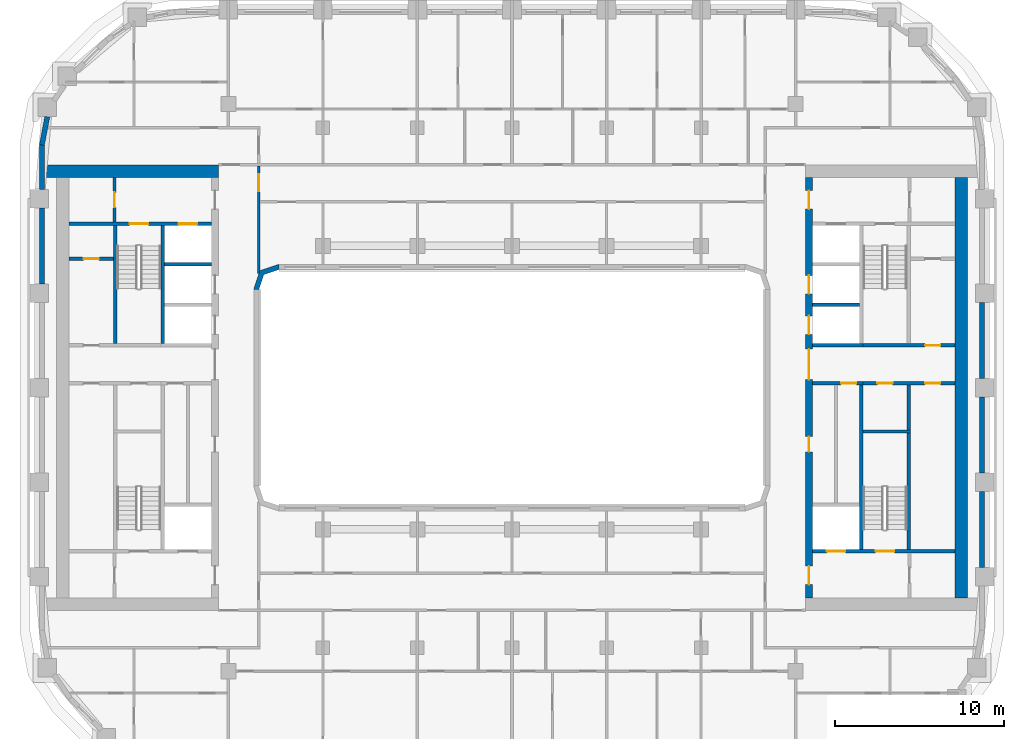
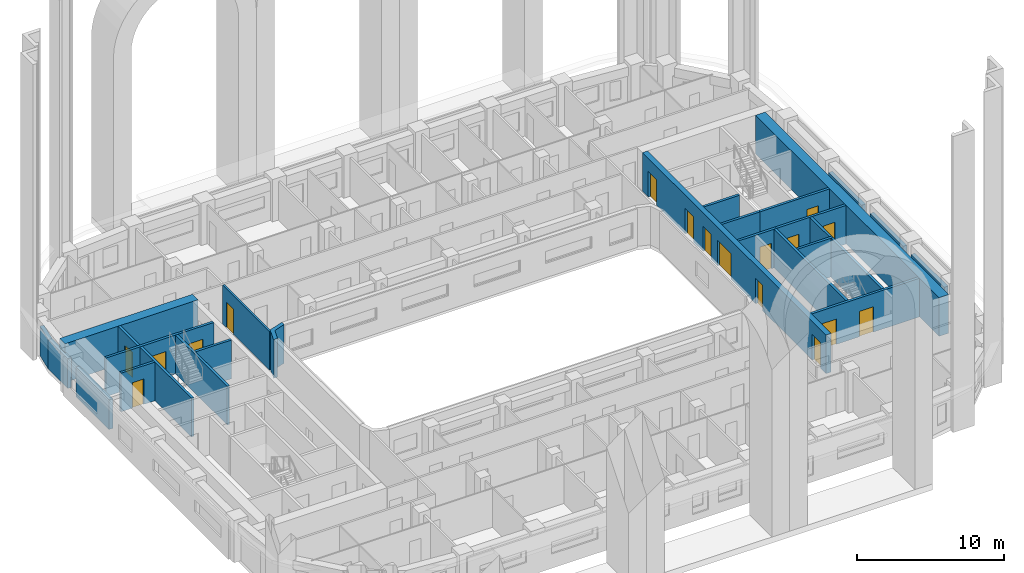
# One storey, part 6 of 18: 27 walls, 17 doors, 17 openings.
"""IFC4 building model written with IfcOpenShell, lengths in metres."""

import ifcopenshell
import ifcopenshell.guid

model = None  # the IFC model being written
_history = None  # IfcOwnerHistory: only IFC2X3 demands one
_inside = {}  # id of a spatial element -> (the spatial element, [elements in it])
_under = {}  # id of a project, library or spatial element -> (it, [spatial elements below it])
_declared = {}  # id of a project -> (the project, [libraries it declares])
_typed = {}  # id of a type object -> (the type object, [elements of that type])
_made_of = {}  # id of a material, layer set ... -> (it, [elements and type objects made of it])


def new_model(schema):
    """Start an empty IFC model of exactly this schema.

    Asked for "IFC4X3", IfcOpenShell would pick the latest addendum, in which some entities
    have other attributes; the version numbers below select the first issue.
    IFC2X3 requires an IfcOwnerHistory on every rooted entity: one is made here for all.
    """
    global model, _history
    if schema == "IFC4X3":
        model = ifcopenshell.file(schema_version=(4, 3, 0, 0))
    else:
        model = ifcopenshell.file(schema=schema)
    _inside.clear()
    _under.clear()
    _declared.clear()
    _typed.clear()
    _made_of.clear()
    _history = None
    if model.schema == "IFC2X3":
        org = make("IfcOrganization", Name="unknown")
        user = make(
            "IfcPersonAndOrganization",
            ThePerson=make("IfcPerson", FamilyName="unknown"),
            TheOrganization=org,
        )
        app = make(
            "IfcApplication",
            ApplicationDeveloper=org,
            Version="unknown",
            ApplicationFullName="unknown",
            ApplicationIdentifier="unknown",
        )
        _history = make(
            "IfcOwnerHistory",
            OwningUser=user,
            OwningApplication=app,
            ChangeAction="ADDED",
            CreationDate=0,
        )
    return model


def make(cls, **values):
    """One entity of the class cls with the attributes given. An attribute that is None is left unset."""
    return model.create_entity(
        cls, **{name: value for name, value in values.items() if value is not None}
    )


def rooted(cls, **values):
    """An entity with a GlobalId (a new one), such as an element, a storey or a relation."""
    return make(cls, GlobalId=ifcopenshell.guid.new(), OwnerHistory=_history, **values)


def si_unit(unit_type, name, prefix=None):
    """IfcSIUnit, for example si_unit("LENGTHUNIT", "METRE", prefix="MILLI")."""
    return make("IfcSIUnit", UnitType=unit_type, Prefix=prefix, Name=name)


def assignment(units):
    """IfcUnitAssignment: the units of a project."""
    return None if units is None else make("IfcUnitAssignment", Units=units)


def point(xyz):
    """IfcCartesianPoint."""
    return None if xyz is None else make("IfcCartesianPoint", Coordinates=xyz)


def direction(xyz):
    """IfcDirection."""
    return None if xyz is None else make("IfcDirection", DirectionRatios=xyz)


def frame(location, z_axis=None, x_axis=None):
    """IfcAxis2Placement3D, a coordinate frame: its origin and axes. An axis left out is left unset."""
    return make(
        "IfcAxis2Placement3D",
        Location=point(location),
        Axis=direction(z_axis),
        RefDirection=direction(x_axis),
    )


def frame_2d(location, x_axis=None):
    """IfcAxis2Placement2D, a coordinate frame in the plane: its origin and x axis."""
    return make(
        "IfcAxis2Placement2D", Location=point(location), RefDirection=direction(x_axis)
    )


def origin():
    """The frame at (0, 0, 0) with its axes left unset."""
    return frame((0.0, 0.0, 0.0))


def place(relative_to, where):
    """IfcLocalPlacement: puts the frame where relative to a parent placement (None: the world)."""
    return make(
        "IfcLocalPlacement", PlacementRelTo=relative_to, RelativePlacement=where
    )


def context(
    kind, dimensions, precision=None, world=None, true_north=None, identifier=None
):
    """IfcGeometricRepresentationContext, for example the 3D "Model" context."""
    return make(
        "IfcGeometricRepresentationContext",
        ContextIdentifier=identifier,
        ContextType=kind,
        CoordinateSpaceDimension=dimensions,
        Precision=precision,
        WorldCoordinateSystem=world,
        TrueNorth=true_north,
    )


def subcontext(parent, identifier, kind, view, scale=None):
    """IfcGeometricRepresentationSubContext, for example "Body" below "Model"."""
    return make(
        "IfcGeometricRepresentationSubContext",
        ContextIdentifier=identifier,
        ContextType=kind,
        ParentContext=parent,
        TargetScale=scale,
        TargetView=view,
    )


def project(units=None, contexts=None):
    """IfcProject with its units and contexts."""
    return rooted(
        "IfcProject",
        Name="project",
        RepresentationContexts=contexts,
        UnitsInContext=assignment(units),
    )


def spatial(cls, under=None, at=None, **own):
    """A site, building, storey or space (cls), placed at a placement, below another one or the project."""
    s = rooted(cls, ObjectPlacement=at, **own)
    if under is not None:
        _under.setdefault(under.id(), (under, []))[1].append(s)
    return s


def polyline(points):
    """IfcPolyline through the points."""
    return make("IfcPolyline", Points=[point(p) for p in points])


def profile(cls, at=None, kind="AREA", **sizes):
    """A parametric profile (cls). Its sizes go by their IFC names, for example OverallWidth=200.0."""
    return make(cls, ProfileType=kind, Position=at, **sizes)


def rectangle(**sizes):
    """IfcRectangleProfileDef."""
    return profile("IfcRectangleProfileDef", **sizes)


def outline(outer, holes=None, kind="AREA"):
    """IfcArbitraryClosedProfileDef: a profile drawn as a closed curve; with holes, ...WithVoids."""
    if holes is None:
        return make("IfcArbitraryClosedProfileDef", ProfileType=kind, OuterCurve=outer)
    return make(
        "IfcArbitraryProfileDefWithVoids",
        ProfileType=kind,
        OuterCurve=outer,
        InnerCurves=holes,
    )


def extrude(swept, where, along, depth):
    """IfcExtrudedAreaSolid: the profile swept, set in the frame where, extruded along a direction by depth."""
    return make(
        "IfcExtrudedAreaSolid",
        SweptArea=swept,
        Position=where,
        ExtrudedDirection=direction(along),
        Depth=depth,
    )


def shape(context_of_items, identifier, shape_type, items):
    """IfcShapeRepresentation: the items that make up one representation, for example the "Body"."""
    return make(
        "IfcShapeRepresentation",
        ContextOfItems=context_of_items,
        RepresentationIdentifier=identifier,
        RepresentationType=shape_type,
        Items=items,
    )


def material(Name=None, Category=None):
    """IfcMaterial."""
    return make("IfcMaterial", Name=Name, Category=Category)


def layer(
    of_material, thickness, ventilated=None, Name=None, Category=None, Priority=None
):
    """IfcMaterialLayer: one layer of a wall or slab, of a material (None: an air gap)."""
    return make(
        "IfcMaterialLayer",
        Material=of_material,
        LayerThickness=thickness,
        IsVentilated=ventilated,
        Name=Name,
        Category=Category,
        Priority=Priority,
    )


def layer_set(layers, Name=None):
    """IfcMaterialLayerSet."""
    return make("IfcMaterialLayerSet", MaterialLayers=layers, LayerSetName=Name)


def made_of(thing, what):
    """Note that an element or type object is made of a material, layer set ...; save() writes the relation."""
    if what is not None:
        _made_of.setdefault(what.id(), (what, []))[1].append(thing)
    return thing


def type_object(cls, material=None, **own):
    """A type object (cls), such as IfcWallType, which elements share."""
    return made_of(rooted(cls, **own), material)


def element(
    cls,
    number,
    at=None,
    inside=None,
    cuts=None,
    type_object=None,
    material=None,
    context=None,
    identifier="Body",
    shape_type=None,
    held_by="IfcProductDefinitionShape",
    body=None,
    shapes=None,
    **own,
):
    """One element of the class cls, such as IfcWall. Its Tag is "e" and its number.

    at: its placement. inside: the storey or other place that contains it. cuts: it is an
    opening in that element (IfcRelVoidsElement). A single representation is given by context,
    identifier, shape_type and body (its items); several are given by shapes. held_by: the class
    of the entity that holds the representations. save() writes the other relations.
    """
    e = rooted(cls, Tag="e%d" % number, ObjectPlacement=at, **own)
    if body is not None:
        shapes = [shape(context, identifier, shape_type, body)]
    if shapes is not None:
        e.Representation = make(held_by, Representations=shapes)
    if inside is not None:
        _inside.setdefault(inside.id(), (inside, []))[1].append(e)
    if cuts is not None:
        rooted(
            "IfcRelVoidsElement", RelatingBuildingElement=cuts, RelatedOpeningElement=e
        )
    if type_object is not None:
        _typed.setdefault(type_object.id(), (type_object, []))[1].append(e)
    return made_of(e, material)


def fill(opening, filler):
    """IfcRelFillsElement: the door or window that sits in an opening."""
    return rooted(
        "IfcRelFillsElement",
        RelatingOpeningElement=opening,
        RelatedBuildingElement=filler,
    )


def aggregate(whole, parts):
    """IfcRelAggregates: a whole, such as a stair, and the parts it consists of."""
    return rooted("IfcRelAggregates", RelatingObject=whole, RelatedObjects=parts)


def save(model, path):
    """Write the relations noted so far, then the file.

    IfcRelAggregates (storeys below a building ...), IfcRelContainedInSpatialStructure (elements
    in a storey), IfcRelDefinesByType, IfcRelAssociatesMaterial and IfcRelDeclares: one each for
    every whole, place, type object, material and project.
    """
    for whole, parts in _under.values():
        aggregate(whole, parts)
    for where, things in _inside.values():
        rooted(
            "IfcRelContainedInSpatialStructure",
            RelatedElements=things,
            RelatingStructure=where,
        )
    for kind, things in _typed.values():
        rooted("IfcRelDefinesByType", RelatedObjects=things, RelatingType=kind)
    for what, things in _made_of.values():
        rooted("IfcRelAssociatesMaterial", RelatedObjects=things, RelatingMaterial=what)
    for by, libraries in _declared.values():
        rooted("IfcRelDeclares", RelatingContext=by, RelatedDefinitions=libraries)
    model.write(path)


model = new_model("IFC4")

# Units and contexts
model_context = context("Model", 3, precision=1e-05, world=origin(), true_north=direction((0.0, 1.0)))
body_context = subcontext(model_context, "Body", "Model", "MODEL_VIEW")
ifc_project = project(units=[si_unit("LENGTHUNIT", "METRE"), si_unit("AREAUNIT", "SQUARE_METRE"), si_unit("VOLUMEUNIT", "CUBIC_METRE"), si_unit("PLANEANGLEUNIT", "RADIAN"), si_unit("MASSUNIT", "GRAM", prefix="KILO")], contexts=[model_context])

# Site, building, storey
site_placement = place(None, origin())
site = spatial("IfcSite", under=ifc_project, at=site_placement, CompositionType="ELEMENT")
building_placement = place(site_placement, origin())
building = spatial("IfcBuilding", under=site, at=building_placement, Name="Kiln Ring Residences", CompositionType="ELEMENT")
storey_placement = place(building_placement, frame((0.0, 0.0, 136.10009765625)))
storey = spatial("IfcBuildingStorey", under=building, at=storey_placement, Name="L34", CompositionType="ELEMENT", Elevation=136.10009765625)

# Wall, opening, door
ifc_material_1 = material(Name="Gypsum board on steel studs", Category="steel")
ifc_layer_1 = layer(ifc_material_1, 0.199951171875)
ifc_layer_set_1 = layer_set([ifc_layer_1], Name="CORE-PARTITION-200")
wall_type_1 = type_object("IfcWallType", Name="CORE-PARTITION-200", PredefinedType="PARTITIONING", material=ifc_layer_set_1)
wall_1_placement = place(storey_placement, frame((-23.550048828125, 9.800048828125, 0.0), z_axis=(0.0, 0.0, 1.0), x_axis=(0.0, 1.0, 0.0)))
wall_1 = element("IfcWall", 1, at=wall_1_placement, inside=storey, type_object=wall_type_1, Name="Core partition west L34 4", PredefinedType="PARTITIONING", context=body_context, shape_type="SweptSolid", body=[
    extrude(rectangle(XDim=2.64990234375, YDim=0.199951171875, at=frame_2d((1.324951171875, 0.0))), origin(), (0.0, 0.0, 1.0), 3.199951171875),
])
opening_1_placement = place(wall_1_placement, frame((0.875, 0.0, 0.0)))
opening_1 = element("IfcOpeningElement", 2, at=opening_1_placement, cuts=wall_1, Name="Opening L34-CW09", PredefinedType="OPENING", context=body_context, shape_type="SweptSolid", body=[
    extrude(rectangle(XDim=0.89990234375, YDim=2.10009765625, at=frame_2d((0.449951171875, 1.050048828125))), frame((0.0, 0.10986328125, 0.0), z_axis=(0.0, -1.0, 0.0), x_axis=(1.0, 0.0, 0.0)), (0.0, 0.0, 1.0), 0.219970703125),
])
ifc_material_2 = material(Name="Steel door leaf", Category="steel")
door_type_1 = type_object("IfcDoorType", Name="CORE-DOOR-ROOM", OperationType="SINGLE_SWING_LEFT", PredefinedType="DOOR", material=ifc_material_2)
door_1_placement = place(opening_1_placement, origin())
door_1 = element("IfcDoor", 3, at=door_1_placement, inside=storey, type_object=door_type_1, Name="Fire riser room L34-CW09", OperationType="SINGLE_SWING_LEFT", OverallHeight=2.10009765625, OverallWidth=0.89990234375, PredefinedType="DOOR", context=body_context, shape_type="SweptSolid", body=[
    extrude(rectangle(XDim=0.89990234375, YDim=2.10009765625, at=frame_2d((0.449951171875, 1.050048828125))), frame((0.0, 0.02490234375, 0.0), z_axis=(0.0, -1.0, 0.0), x_axis=(1.0, 0.0, 0.0)), (0.0, 0.0, 1.0), 0.050048828125),
])
fill(opening_1, door_1)

wall_2_placement = place(storey_placement, frame((-23.60009765625, 7.639892578125, 0.0), z_axis=(0.0, 0.0, 1.0), x_axis=(-1.0, 0.0, 0.0)))
wall_2 = element("IfcWall", 4, at=wall_2_placement, inside=storey, type_object=wall_type_1, Name="Core partition west L34 6", PredefinedType="PARTITIONING", context=body_context, shape_type="SweptSolid", body=[
    extrude(rectangle(XDim=2.64990234375, YDim=0.199951171875, at=frame_2d((1.324951171875, 0.0))), origin(), (0.0, 0.0, 1.0), 3.199951171875),
])
opening_2_placement = place(wall_2_placement, frame((0.875, 0.0, 0.0)))
opening_2 = element("IfcOpeningElement", 5, at=opening_2_placement, cuts=wall_2, Name="Opening L34-CW16", PredefinedType="OPENING", context=body_context, shape_type="SweptSolid", body=[
    extrude(rectangle(XDim=0.89990234375, YDim=2.10009765625, at=frame_2d((0.449951171875, 1.050048828125))), frame((0.0, 0.10986328125, 0.0), z_axis=(0.0, -1.0, 0.0), x_axis=(1.0, 0.0, 0.0)), (0.0, 0.0, 1.0), 0.219970703125),
])
door_2_placement = place(opening_2_placement, origin())
door_2 = element("IfcDoor", 6, at=door_2_placement, inside=storey, type_object=door_type_1, Name="UPS room L34-CW16", OperationType="SINGLE_SWING_LEFT", OverallHeight=2.10009765625, OverallWidth=0.89990234375, PredefinedType="DOOR", context=body_context, shape_type="SweptSolid", body=[
    extrude(rectangle(XDim=0.89990234375, YDim=2.10009765625, at=frame_2d((0.449951171875, 1.050048828125))), frame((0.0, 0.02490234375, 0.0), z_axis=(0.0, -1.0, 0.0), x_axis=(1.0, 0.0, 0.0)), (0.0, 0.0, 1.0), 0.050048828125),
])
fill(opening_2, door_2)

# Wall
wall_3_placement = place(storey_placement, frame((23.5, -2.5, 0.0), z_axis=(0.0, 0.0, 1.0), x_axis=(0.0, 1.0, 0.0)))
element("IfcWall", 7, at=wall_3_placement, inside=storey, type_object=wall_type_1, Name="Core partition east L34 1", PredefinedType="PARTITIONING", context=body_context, shape_type="SweptSolid", body=[
    extrude(rectangle(XDim=2.64990234375, YDim=0.199951171875, at=frame_2d((1.324951171875, 0.0))), origin(), (0.0, 0.0, 1.0), 3.199951171875),
])

# Wall, openings, doors
wall_4_placement = place(storey_placement, frame((20.800048828125, 0.25, 0.0), z_axis=(0.0, 0.0, 1.0), x_axis=(1.0, 0.0, 0.0)))
wall_4 = element("IfcWall", 8, at=wall_4_placement, inside=storey, type_object=wall_type_1, Name="Core partition east L34 2", PredefinedType="PARTITIONING", context=body_context, shape_type="SweptSolid", body=[
    extrude(rectangle(XDim=5.449951171875, YDim=0.199951171875, at=frame_2d((2.72509765625, 0.0))), origin(), (0.0, 0.0, 1.0), 3.199951171875),
])
opening_3_placement = place(wall_4_placement, frame((0.85009765625, 0.0, 0.0)))
opening_3 = element("IfcOpeningElement", 9, at=opening_3_placement, cuts=wall_4, Name="Opening L34-CE14", PredefinedType="OPENING", context=body_context, shape_type="SweptSolid", body=[
    extrude(rectangle(XDim=0.89990234375, YDim=2.10009765625, at=frame_2d((0.449951171875, 1.050048828125))), frame((0.0, 0.10986328125, 0.0), z_axis=(0.0, -1.0, 0.0), x_axis=(1.0, 0.0, 0.0)), (0.0, 0.0, 1.0), 0.219970703125),
])
opening_4_placement = place(wall_4_placement, frame((3.675048828125, 0.0, 0.0)))
opening_4 = element("IfcOpeningElement", 10, at=opening_4_placement, cuts=wall_4, Name="Opening L34-CE15", PredefinedType="OPENING", context=body_context, shape_type="SweptSolid", body=[
    extrude(rectangle(XDim=0.89990234375, YDim=2.10009765625, at=frame_2d((0.449951171875, 1.050048828125))), frame((0.0, 0.10986328125, 0.0), z_axis=(0.0, -1.0, 0.0), x_axis=(1.0, 0.0, 0.0)), (0.0, 0.0, 1.0), 0.219970703125),
])
door_3_placement = place(opening_3_placement, origin())
door_3 = element("IfcDoor", 11, at=door_3_placement, inside=storey, type_object=door_type_1, Name="Refuse and recycling room L34-CE14", OperationType="SINGLE_SWING_LEFT", OverallHeight=2.10009765625, OverallWidth=0.89990234375, PredefinedType="DOOR", context=body_context, shape_type="SweptSolid", body=[
    extrude(rectangle(XDim=0.89990234375, YDim=2.10009765625, at=frame_2d((0.449951171875, 1.050048828125))), frame((0.0, 0.02490234375, 0.0), z_axis=(0.0, -1.0, 0.0), x_axis=(1.0, 0.0, 0.0)), (0.0, 0.0, 1.0), 0.050048828125),
])
fill(opening_3, door_3)
door_4_placement = place(opening_4_placement, origin())
door_4 = element("IfcDoor", 12, at=door_4_placement, inside=storey, type_object=door_type_1, Name="Water tank room L34-CE15", OperationType="SINGLE_SWING_RIGHT", OverallHeight=2.10009765625, OverallWidth=0.89990234375, PredefinedType="DOOR", context=body_context, shape_type="SweptSolid", body=[
    extrude(rectangle(XDim=0.89990234375, YDim=2.10009765625, at=frame_2d((0.449951171875, 1.050048828125))), frame((0.0, 0.02490234375, 0.0), z_axis=(0.0, -1.0, 0.0), x_axis=(1.0, 0.0, 0.0)), (0.0, 0.0, 1.0), 0.050048828125),
])
fill(opening_4, door_4)

# Wall
ifc_material_3 = material(Name="Gypsum shaft wall system")
ifc_layer_2 = layer(ifc_material_3, 0.199951171875)
ifc_layer_set_2 = layer_set([ifc_layer_2], Name="CORE-SHAFT-WALL-200")
wall_type_2 = type_object("IfcWallType", Name="CORE-SHAFT-WALL-200", PredefinedType="PARTITIONING", material=ifc_layer_set_2)
wall_5_placement = place(storey_placement, frame((-17.800048828125, 7.300048828125, 0.0), z_axis=(0.0, 0.0, 1.0), x_axis=(-1.0, 0.0, 0.0)))
element("IfcWall", 13, at=wall_5_placement, inside=storey, type_object=wall_type_2, Name="Core partition west L34 11", PredefinedType="PARTITIONING", context=body_context, shape_type="SweptSolid", body=[
    extrude(rectangle(XDim=2.800048828125, YDim=0.199951171875, at=frame_2d((1.39990234375, 0.0))), origin(), (0.0, 0.0, 1.0), 3.199951171875),
])

# Wall, opening, door
wall_6_placement = place(storey_placement, frame((17.800048828125, 0.25, 0.0), z_axis=(0.0, 0.0, 1.0), x_axis=(1.0, 0.0, 0.0)))
wall_6 = element("IfcWall", 14, at=wall_6_placement, inside=storey, type_object=wall_type_2, Name="Core partition east L34 8", PredefinedType="PARTITIONING", context=body_context, shape_type="SweptSolid", body=[
    extrude(rectangle(XDim=3.0, YDim=0.199951171875, at=frame_2d((1.5, 0.0))), origin(), (0.0, 0.0, 1.0), 3.199951171875),
])
opening_5_placement = place(wall_6_placement, frame((1.699951171875, 0.0, 0.0)))
opening_5 = element("IfcOpeningElement", 15, at=opening_5_placement, cuts=wall_6, Name="Opening L34-CE03", PredefinedType="OPENING", context=body_context, shape_type="SweptSolid", body=[
    extrude(rectangle(XDim=0.89990234375, YDim=2.10009765625, at=frame_2d((0.449951171875, 1.050048828125))), frame((0.0, 0.10986328125, 0.0), z_axis=(0.0, -1.0, 0.0), x_axis=(1.0, 0.0, 0.0)), (0.0, 0.0, 1.0), 0.219970703125),
])
door_5_placement = place(opening_5_placement, origin())
door_5 = element("IfcDoor", 16, at=door_5_placement, inside=storey, type_object=door_type_1, Name="Locker store L34-CE03", OperationType="SINGLE_SWING_RIGHT", OverallHeight=2.10009765625, OverallWidth=0.89990234375, PredefinedType="DOOR", context=body_context, shape_type="SweptSolid", body=[
    extrude(rectangle(XDim=0.89990234375, YDim=2.10009765625, at=frame_2d((0.449951171875, 1.050048828125))), frame((0.0, 0.02490234375, 0.0), z_axis=(0.0, -1.0, 0.0), x_axis=(1.0, 0.0, 0.0)), (0.0, 0.0, 1.0), 0.050048828125),
])
fill(opening_5, door_5)

# Walls
wall_7_placement = place(storey_placement, frame((17.800048828125, 2.5, 0.0), z_axis=(0.0, 0.0, 1.0), x_axis=(1.0, 0.0, 0.0)))
element("IfcWall", 17, at=wall_7_placement, inside=storey, type_object=wall_type_2, Name="Core partition east L34 9", PredefinedType="PARTITIONING", context=body_context, shape_type="SweptSolid", body=[
    extrude(rectangle(XDim=3.0, YDim=0.199951171875, at=frame_2d((1.5, 0.0))), origin(), (0.0, 0.0, 1.0), 3.199951171875),
])
wall_8_placement = place(storey_placement, frame((17.800048828125, 4.89990234375, 0.0), z_axis=(0.0, 0.0, 1.0), x_axis=(1.0, 0.0, 0.0)))
element("IfcWall", 18, at=wall_8_placement, inside=storey, type_object=wall_type_2, Name="Core partition east L34 10", PredefinedType="PARTITIONING", context=body_context, shape_type="SweptSolid", body=[
    extrude(rectangle(XDim=2.800048828125, YDim=0.199951171875, at=frame_2d((1.39990234375, 0.0))), origin(), (0.0, 0.0, 1.0), 3.199951171875),
])
ifc_material_4 = material(Name="Concrete C40/50", Category="concrete")
ifc_layer_3 = layer(ifc_material_4, 0.199951171875)
ifc_layer_set_3 = layer_set([ifc_layer_3], Name="CORE-WALL-RC200")
wall_type_3 = type_object("IfcWallType", Name="CORE-WALL-RC200", PredefinedType="SHEAR", material=ifc_layer_set_3)
wall_9_placement = place(storey_placement, frame((-20.699951171875, 2.60009765625, 0.0), z_axis=(0.0, 0.0, 1.0), x_axis=(0.0, 1.0, 0.0)))
element("IfcWall", 19, at=wall_9_placement, inside=storey, type_object=wall_type_3, Name="Core wall west L34 1", PredefinedType="SHEAR", context=body_context, shape_type="SweptSolid", body=[
    extrude(rectangle(XDim=7.0, YDim=0.199951171875, at=frame_2d((3.5, 0.0))), origin(), (0.0, 0.0, 1.0), 3.199951171875),
])

# Wall, openings, doors
wall_10_placement = place(storey_placement, frame((-17.800048828125, 9.699951171875, 0.0), z_axis=(0.0, 0.0, 1.0), x_axis=(-1.0, 0.0, 0.0)))
wall_10 = element("IfcWall", 20, at=wall_10_placement, inside=storey, type_object=wall_type_3, Name="Core wall west L34 9", PredefinedType="SHEAR", context=body_context, shape_type="SweptSolid", body=[
    extrude(rectangle(XDim=8.449951171875, YDim=0.199951171875, at=frame_2d((4.22509765625, 0.0))), origin(), (0.0, 0.0, 1.0), 3.199951171875),
])
opening_6_placement = place(wall_10_placement, frame((0.85009765625, 0.0, 0.0)))
opening_6 = element("IfcOpeningElement", 21, at=opening_6_placement, cuts=wall_10, Name="Opening L34-CW06", PredefinedType="OPENING", context=body_context, shape_type="SweptSolid", body=[
    extrude(rectangle(XDim=1.10009765625, YDim=2.10009765625, at=frame_2d((0.550048828125, 1.050048828125))), frame((0.0, 0.10986328125, 0.0), z_axis=(0.0, -1.0, 0.0), x_axis=(1.0, 0.0, 0.0)), (0.0, 0.0, 1.0), 0.219970703125),
])
opening_7_placement = place(wall_10_placement, frame((3.75, 0.0, 0.0)))
opening_7 = element("IfcOpeningElement", 22, at=opening_7_placement, cuts=wall_10, Name="Opening L34-CW11", PredefinedType="OPENING", context=body_context, shape_type="SweptSolid", body=[
    extrude(rectangle(XDim=1.10009765625, YDim=2.10009765625, at=frame_2d((0.550048828125, 1.050048828125))), frame((0.0, 0.10986328125, 0.0), z_axis=(0.0, -1.0, 0.0), x_axis=(1.0, 0.0, 0.0)), (0.0, 0.0, 1.0), 0.219970703125),
])
ifc_material_5 = material(Name="Steel door leaf", Category="steel")
door_type_2 = type_object("IfcDoorType", Name="CORE-DOOR-LD", OperationType="DOUBLE_DOOR_SLIDING", PredefinedType="DOOR", material=ifc_material_5)
door_6_placement = place(opening_6_placement, origin())
door_6 = element("IfcDoor", 23, at=door_6_placement, inside=storey, type_object=door_type_2, Name="LD W-FF L34-CW06", OperationType="DOUBLE_DOOR_SLIDING", OverallHeight=2.10009765625, OverallWidth=1.10009765625, PredefinedType="DOOR", context=body_context, shape_type="SweptSolid", body=[
    extrude(rectangle(XDim=1.10009765625, YDim=2.10009765625, at=frame_2d((0.550048828125, 1.050048828125))), frame((0.0, 0.02490234375, 0.0), z_axis=(0.0, -1.0, 0.0), x_axis=(1.0, 0.0, 0.0)), (0.0, 0.0, 1.0), 0.050048828125),
])
fill(opening_6, door_6)
ifc_material_6 = material(Name="Steel door leaf", Category="steel")
door_type_3 = type_object("IfcDoorType", Name="CORE-DOOR-STAIR", OperationType="SINGLE_SWING_LEFT", PredefinedType="DOOR", material=ifc_material_6)
door_7_placement = place(opening_7_placement, origin())
door_7 = element("IfcDoor", 24, at=door_7_placement, inside=storey, type_object=door_type_3, Name="Stair W-STN L34-CW11", OperationType="SINGLE_SWING_LEFT", OverallHeight=2.10009765625, OverallWidth=1.10009765625, PredefinedType="DOOR", context=body_context, shape_type="SweptSolid", body=[
    extrude(rectangle(XDim=1.10009765625, YDim=2.10009765625, at=frame_2d((0.550048828125, 1.050048828125))), frame((0.0, 0.02490234375, 0.0), z_axis=(0.0, -1.0, 0.0), x_axis=(1.0, 0.0, 0.0)), (0.0, 0.0, 1.0), 0.050048828125),
])
fill(opening_7, door_7)

# Walls
wall_11_placement = place(storey_placement, frame((-23.5, 2.60009765625, 0.0), z_axis=(0.0, 0.0, 1.0), x_axis=(0.0, 1.0, 0.0)))
element("IfcWall", 25, at=wall_11_placement, inside=storey, type_object=wall_type_3, Name="Core wall west L34 10", PredefinedType="SHEAR", context=body_context, shape_type="SweptSolid", body=[
    extrude(rectangle(XDim=7.0, YDim=0.199951171875, at=frame_2d((3.5, 0.0))), origin(), (0.0, 0.0, 1.0), 3.199951171875),
])
wall_12_placement = place(storey_placement, frame((20.699951171875, -9.60009765625, 0.0), z_axis=(0.0, 0.0, 1.0), x_axis=(0.0, 1.0, 0.0)))
element("IfcWall", 26, at=wall_12_placement, inside=storey, type_object=wall_type_3, Name="Core wall east L34 2", PredefinedType="SHEAR", context=body_context, shape_type="SweptSolid", body=[
    extrude(rectangle(XDim=9.75, YDim=0.199951171875, at=frame_2d((4.875, 0.0))), origin(), (0.0, 0.0, 1.0), 3.199951171875),
])

# Wall, opening, door
wall_13_placement = place(storey_placement, frame((20.800048828125, 2.5, 0.0), z_axis=(0.0, 0.0, 1.0), x_axis=(1.0, 0.0, 0.0)))
wall_13 = element("IfcWall", 27, at=wall_13_placement, inside=storey, type_object=wall_type_3, Name="Core wall east L34 3", PredefinedType="SHEAR", context=body_context, shape_type="SweptSolid", body=[
    extrude(rectangle(XDim=5.449951171875, YDim=0.199951171875, at=frame_2d((2.72509765625, 0.0))), origin(), (0.0, 0.0, 1.0), 3.199951171875),
])
opening_8_placement = place(wall_13_placement, frame((3.675048828125, 0.0, 0.0)))
opening_8 = element("IfcOpeningElement", 28, at=opening_8_placement, cuts=wall_13, Name="Opening L34-CE17", PredefinedType="OPENING", context=body_context, shape_type="SweptSolid", body=[
    extrude(rectangle(XDim=0.89990234375, YDim=2.10009765625, at=frame_2d((0.449951171875, 1.050048828125))), frame((0.0, 0.10986328125, 0.0), z_axis=(0.0, -1.0, 0.0), x_axis=(1.0, 0.0, 0.0)), (0.0, 0.0, 1.0), 0.219970703125),
])
door_8_placement = place(opening_8_placement, origin())
door_8 = element("IfcDoor", 29, at=door_8_placement, inside=storey, type_object=door_type_1, Name="Electrical plant room L34-CE17", OperationType="SINGLE_SWING_LEFT", OverallHeight=2.10009765625, OverallWidth=0.89990234375, PredefinedType="DOOR", context=body_context, shape_type="SweptSolid", body=[
    extrude(rectangle(XDim=0.89990234375, YDim=2.10009765625, at=frame_2d((0.449951171875, 1.050048828125))), frame((0.0, 0.02490234375, 0.0), z_axis=(0.0, -1.0, 0.0), x_axis=(1.0, 0.0, 0.0)), (0.0, 0.0, 1.0), 0.050048828125),
])
fill(opening_8, door_8)

# Wall, openings, doors
wall_14_placement = place(storey_placement, frame((17.800048828125, -9.699951171875, 0.0), z_axis=(0.0, 0.0, 1.0), x_axis=(1.0, 0.0, 0.0)))
wall_14 = element("IfcWall", 30, at=wall_14_placement, inside=storey, type_object=wall_type_3, Name="Core wall east L34 8", PredefinedType="SHEAR", context=body_context, shape_type="SweptSolid", body=[
    extrude(rectangle(XDim=8.449951171875, YDim=0.199951171875, at=frame_2d((4.22509765625, 0.0))), origin(), (0.0, 0.0, 1.0), 3.199951171875),
])
opening_9_placement = place(wall_14_placement, frame((0.85009765625, 0.0, 0.0)))
opening_9 = element("IfcOpeningElement", 31, at=opening_9_placement, cuts=wall_14, Name="Opening L34-CE01", PredefinedType="OPENING", context=body_context, shape_type="SweptSolid", body=[
    extrude(rectangle(XDim=1.10009765625, YDim=2.10009765625, at=frame_2d((0.550048828125, 1.050048828125))), frame((0.0, 0.10986328125, 0.0), z_axis=(0.0, -1.0, 0.0), x_axis=(1.0, 0.0, 0.0)), (0.0, 0.0, 1.0), 0.219970703125),
])
opening_10_placement = place(wall_14_placement, frame((3.75, 0.0, 0.0)))
opening_10 = element("IfcOpeningElement", 32, at=opening_10_placement, cuts=wall_14, Name="Opening L34-CE12", PredefinedType="OPENING", context=body_context, shape_type="SweptSolid", body=[
    extrude(rectangle(XDim=1.10009765625, YDim=2.10009765625, at=frame_2d((0.550048828125, 1.050048828125))), frame((0.0, 0.10986328125, 0.0), z_axis=(0.0, -1.0, 0.0), x_axis=(1.0, 0.0, 0.0)), (0.0, 0.0, 1.0), 0.219970703125),
])
door_9_placement = place(opening_9_placement, origin())
door_9 = element("IfcDoor", 33, at=door_9_placement, inside=storey, type_object=door_type_2, Name="LD E-SV L34-CE01", OperationType="DOUBLE_DOOR_SLIDING", OverallHeight=2.10009765625, OverallWidth=1.10009765625, PredefinedType="DOOR", context=body_context, shape_type="SweptSolid", body=[
    extrude(rectangle(XDim=1.10009765625, YDim=2.10009765625, at=frame_2d((0.550048828125, 1.050048828125))), frame((0.0, 0.02490234375, 0.0), z_axis=(0.0, -1.0, 0.0), x_axis=(1.0, 0.0, 0.0)), (0.0, 0.0, 1.0), 0.050048828125),
])
fill(opening_9, door_9)
door_10_placement = place(opening_10_placement, origin())
door_10 = element("IfcDoor", 34, at=door_10_placement, inside=storey, type_object=door_type_3, Name="Stair E-STS L34-CE12", OperationType="SINGLE_SWING_RIGHT", OverallHeight=2.10009765625, OverallWidth=1.10009765625, PredefinedType="DOOR", context=body_context, shape_type="SweptSolid", body=[
    extrude(rectangle(XDim=1.10009765625, YDim=2.10009765625, at=frame_2d((0.550048828125, 1.050048828125))), frame((0.0, 0.02490234375, 0.0), z_axis=(0.0, -1.0, 0.0), x_axis=(1.0, 0.0, 0.0)), (0.0, 0.0, 1.0), 0.050048828125),
])
fill(opening_10, door_10)

# Walls
wall_15_placement = place(storey_placement, frame((23.5, -9.60009765625, 0.0), z_axis=(0.0, 0.0, 1.0), x_axis=(0.0, 1.0, 0.0)))
element("IfcWall", 35, at=wall_15_placement, inside=storey, type_object=wall_type_3, Name="Core wall east L34 11", PredefinedType="SHEAR", context=body_context, shape_type="SweptSolid", body=[
    extrude(rectangle(XDim=6.900146484375, YDim=0.199951171875, at=frame_2d((3.4501953125, 0.0))), origin(), (0.0, 0.0, 1.0), 3.199951171875),
])
wall_16_placement = place(storey_placement, frame((20.800048828125, -2.60009765625, 0.0), z_axis=(0.0, 0.0, 1.0), x_axis=(1.0, 0.0, 0.0)))
element("IfcWall", 36, at=wall_16_placement, inside=storey, type_object=wall_type_3, Name="Core wall east L34 12", PredefinedType="SHEAR", context=body_context, shape_type="SweptSolid", body=[
    extrude(rectangle(XDim=2.800048828125, YDim=0.199951171875, at=frame_2d((1.39990234375, 0.0))), origin(), (0.0, 0.0, 1.0), 3.199951171875),
])

# Wall, openings, doors
ifc_material_7 = material(Name="Concrete C60/75", Category="concrete")
ifc_layer_4 = layer(ifc_material_7, 0.39990234375)
ifc_layer_set_4 = layer_set([ifc_layer_4], Name="CORE-WALL-RC400")
wall_type_4 = type_object("IfcWallType", Name="CORE-WALL-RC400", PredefinedType="SHEAR", material=ifc_layer_set_4)
wall_17_placement = place(storey_placement, frame((17.60009765625, -12.449951171875, 0.0), z_axis=(0.0, 0.0, 1.0), x_axis=(0.0, 1.0, 0.0)))
wall_17 = element("IfcWall", 37, at=wall_17_placement, inside=storey, type_object=wall_type_4, Name="Core wall east L34 6", PredefinedType="SHEAR", context=body_context, shape_type="SweptSolid", body=[
    extrude(rectangle(XDim=24.89990234375, YDim=0.39990234375, at=frame_2d((12.449951171875, 0.0))), origin(), (0.0, 0.0, 1.0), 3.199951171875),
])
opening_11_placement = place(wall_17_placement, frame((8.64990234375, 0.0, 0.0)))
opening_11 = element("IfcOpeningElement", 38, at=opening_11_placement, cuts=wall_17, Name="Opening L34-CE02", PredefinedType="OPENING", context=body_context, shape_type="SweptSolid", body=[
    extrude(rectangle(XDim=0.89990234375, YDim=2.10009765625, at=frame_2d((0.449951171875, 1.050048828125))), frame((0.0, 0.2099609375, 0.0), z_axis=(0.0, -1.0, 0.0), x_axis=(1.0, 0.0, 0.0)), (0.0, 0.0, 1.0), 0.419921875),
])
opening_12_placement = place(wall_17_placement, frame((15.60009765625, 0.0, 0.0)))
opening_12 = element("IfcOpeningElement", 39, at=opening_12_placement, cuts=wall_17, Name="Opening L34-CE04", PredefinedType="OPENING", context=body_context, shape_type="SweptSolid", body=[
    extrude(rectangle(XDim=1.10009765625, YDim=2.10009765625, at=frame_2d((0.550048828125, 1.050048828125))), frame((0.0, 0.2099609375, 0.0), z_axis=(0.0, -1.0, 0.0), x_axis=(1.0, 0.0, 0.0)), (0.0, 0.0, 1.0), 0.419921875),
])
opening_13_placement = place(wall_17_placement, frame((18.0, 0.0, 0.0)))
opening_13 = element("IfcOpeningElement", 40, at=opening_13_placement, cuts=wall_17, Name="Opening L34-CE05", PredefinedType="OPENING", context=body_context, shape_type="SweptSolid", body=[
    extrude(rectangle(XDim=1.10009765625, YDim=2.10009765625, at=frame_2d((0.550048828125, 1.050048828125))), frame((0.0, 0.2099609375, 0.0), z_axis=(0.0, -1.0, 0.0), x_axis=(1.0, 0.0, 0.0)), (0.0, 0.0, 1.0), 0.419921875),
])
opening_14_placement = place(wall_17_placement, frame((23.02490234375, 0.0, 0.0)))
opening_14 = element("IfcOpeningElement", 41, at=opening_14_placement, cuts=wall_17, Name="Opening L34-CE07", PredefinedType="OPENING", context=body_context, shape_type="SweptSolid", body=[
    extrude(rectangle(XDim=1.10009765625, YDim=2.10009765625, at=frame_2d((0.550048828125, 1.050048828125))), frame((0.0, 0.2099609375, 0.0), z_axis=(0.0, -1.0, 0.0), x_axis=(1.0, 0.0, 0.0)), (0.0, 0.0, 1.0), 0.419921875),
])
opening_15_placement = place(wall_17_placement, frame((0.77490234375, 0.0, 0.0)))
opening_15 = element("IfcOpeningElement", 42, at=opening_15_placement, cuts=wall_17, Name="Opening L34-CE08", PredefinedType="OPENING", context=body_context, shape_type="SweptSolid", body=[
    extrude(rectangle(XDim=1.10009765625, YDim=2.10009765625, at=frame_2d((0.550048828125, 1.050048828125))), frame((0.0, 0.2099609375, 0.0), z_axis=(0.0, -1.0, 0.0), x_axis=(1.0, 0.0, 0.0)), (0.0, 0.0, 1.0), 0.419921875),
])
opening_16_placement = place(wall_17_placement, frame((12.925048828125, 0.0, 0.0)))
opening_16 = element("IfcOpeningElement", 43, at=opening_16_placement, cuts=wall_17, Name="Opening L34-CE13", PredefinedType="OPENING", context=body_context, shape_type="SweptSolid", body=[
    extrude(rectangle(XDim=1.800048828125, YDim=2.10009765625, at=frame_2d((0.89990234375, 1.050048828125))), frame((0.0, 0.2099609375, 0.0), z_axis=(0.0, -1.0, 0.0), x_axis=(1.0, 0.0, 0.0)), (0.0, 0.0, 1.0), 0.419921875),
])
door_11_placement = place(opening_12_placement, origin())
door_11 = element("IfcDoor", 44, at=door_11_placement, inside=storey, type_object=door_type_2, Name="LD E-M1 L34-CE04", OperationType="DOUBLE_DOOR_SLIDING", OverallHeight=2.10009765625, OverallWidth=1.10009765625, PredefinedType="DOOR", context=body_context, shape_type="SweptSolid", body=[
    extrude(rectangle(XDim=1.10009765625, YDim=2.10009765625, at=frame_2d((0.550048828125, 1.050048828125))), frame((0.0, 0.02490234375, 0.0), z_axis=(0.0, -1.0, 0.0), x_axis=(1.0, 0.0, 0.0)), (0.0, 0.0, 1.0), 0.050048828125),
])
fill(opening_12, door_11)
door_12_placement = place(opening_13_placement, origin())
door_12 = element("IfcDoor", 45, at=door_12_placement, inside=storey, type_object=door_type_2, Name="LD E-M2 L34-CE05", OperationType="DOUBLE_DOOR_SLIDING", OverallHeight=2.10009765625, OverallWidth=1.10009765625, PredefinedType="DOOR", context=body_context, shape_type="SweptSolid", body=[
    extrude(rectangle(XDim=1.10009765625, YDim=2.10009765625, at=frame_2d((0.550048828125, 1.050048828125))), frame((0.0, 0.02490234375, 0.0), z_axis=(0.0, -1.0, 0.0), x_axis=(1.0, 0.0, 0.0)), (0.0, 0.0, 1.0), 0.050048828125),
])
fill(opening_13, door_12)
ifc_material_8 = material(Name="Steel door leaf", Category="steel")
door_type_4 = type_object("IfcDoorType", Name="CORE-DOOR-LOBBY", OperationType="SINGLE_SWING_LEFT", PredefinedType="DOOR", material=ifc_material_8)
door_13_placement = place(opening_14_placement, origin())
door_13 = element("IfcDoor", 46, at=door_13_placement, inside=storey, type_object=door_type_4, Name="FFL L34-CE07", OperationType="SINGLE_SWING_LEFT", OverallHeight=2.10009765625, OverallWidth=1.10009765625, PredefinedType="DOOR", context=body_context, shape_type="SweptSolid", body=[
    extrude(rectangle(XDim=1.10009765625, YDim=2.10009765625, at=frame_2d((0.550048828125, 1.050048828125))), frame((0.0, 0.02490234375, 0.0), z_axis=(0.0, -1.0, 0.0), x_axis=(1.0, 0.0, 0.0)), (0.0, 0.0, 1.0), 0.050048828125),
])
fill(opening_14, door_13)
door_14_placement = place(opening_15_placement, origin())
door_14 = element("IfcDoor", 47, at=door_14_placement, inside=storey, type_object=door_type_4, Name="SVL L34-CE08", OperationType="SINGLE_SWING_RIGHT", OverallHeight=2.10009765625, OverallWidth=1.10009765625, PredefinedType="DOOR", context=body_context, shape_type="SweptSolid", body=[
    extrude(rectangle(XDim=1.10009765625, YDim=2.10009765625, at=frame_2d((0.550048828125, 1.050048828125))), frame((0.0, 0.02490234375, 0.0), z_axis=(0.0, -1.0, 0.0), x_axis=(1.0, 0.0, 0.0)), (0.0, 0.0, 1.0), 0.050048828125),
])
fill(opening_15, door_14)
ifc_material_9 = material(Name="Steel door leaf", Category="steel")
door_type_5 = type_object("IfcDoorType", Name="CORE-DOOR-PASS", OperationType="DOUBLE_DOOR_SINGLE_SWING", PredefinedType="DOOR", material=ifc_material_9)
door_15_placement = place(opening_16_placement, origin())
door_15 = element("IfcDoor", 48, at=door_15_placement, inside=storey, type_object=door_type_5, Name="Core passage L34-CE13", OperationType="DOUBLE_DOOR_SINGLE_SWING", OverallHeight=2.10009765625, OverallWidth=1.800048828125, PredefinedType="DOOR", context=body_context, shape_type="SweptSolid", body=[
    extrude(rectangle(XDim=1.800048828125, YDim=2.10009765625, at=frame_2d((0.89990234375, 1.050048828125))), frame((0.0, 0.02490234375, 0.0), z_axis=(0.0, -1.0, 0.0), x_axis=(1.0, 0.0, 0.0)), (0.0, 0.0, 1.0), 0.050048828125),
])
fill(opening_16, door_15)
door_16_placement = place(opening_11_placement, origin())
door_16 = element("IfcDoor", 49, at=door_16_placement, inside=storey, type_object=door_type_1, Name="Storage room L34-CE02", OperationType="SINGLE_SWING_LEFT", OverallHeight=2.10009765625, OverallWidth=0.89990234375, PredefinedType="DOOR", context=body_context, shape_type="SweptSolid", body=[
    extrude(rectangle(XDim=0.89990234375, YDim=2.10009765625, at=frame_2d((0.449951171875, 1.050048828125))), frame((0.0, 0.02490234375, 0.0), z_axis=(0.0, -1.0, 0.0), x_axis=(1.0, 0.0, 0.0)), (0.0, 0.0, 1.0), 0.050048828125),
])
fill(opening_11, door_16)

# Walls
ifc_material_10 = material(Name="Concrete C60/75", Category="concrete")
ifc_layer_5 = layer(ifc_material_10, 0.75)
ifc_layer_set_5 = layer_set([ifc_layer_5], Name="CORE-WALL-RC750")
wall_type_5 = type_object("IfcWallType", Name="CORE-WALL-RC750", PredefinedType="SHEAR", material=ifc_layer_set_5)
wall_18_placement = place(storey_placement, frame((-17.39990234375, 12.824951171875, 0.0), z_axis=(0.0, 0.0, 1.0), x_axis=(-1.0, 0.0, 0.0)))
element("IfcWall", 50, at=wall_18_placement, inside=storey, type_object=wall_type_5, Name="Core wall west L34 4", PredefinedType="SHEAR", context=body_context, shape_type="SweptSolid", body=[
    extrude(rectangle(XDim=10.400146484375, YDim=0.75, at=frame_2d((5.2001953125, 0.0))), origin(), (0.0, 0.0, 1.0), 3.199951171875),
])
wall_19_placement = place(storey_placement, frame((26.625, -12.449951171875, 0.0), z_axis=(0.0, 0.0, 1.0), x_axis=(0.0, 1.0, 0.0)))
element("IfcWall", 51, at=wall_19_placement, inside=storey, type_object=wall_type_5, Name="Core wall east L34 7", PredefinedType="SHEAR", context=body_context, shape_type="SweptSolid", body=[
    extrude(rectangle(XDim=24.89990234375, YDim=0.75, at=frame_2d((12.449951171875, 0.0))), origin(), (0.0, 0.0, 1.0), 3.199951171875),
])
ifc_material_11 = material(Name="Brick masonry, dark clay brick", Category="masonry")
ifc_layer_6 = layer(ifc_material_11, 0.300048828125)
ifc_layer_set_6 = layer_set([ifc_layer_6], Name="EW-300 BRICK WALL")
wall_type_6 = type_object("IfcWallType", Name="EW-300 BRICK WALL", PredefinedType="SOLIDWALL", material=ifc_layer_set_6)
for number, where, z_axis, x_axis, name in (
    (52, (27.85009765625, -10.64990234375, 0.0), (0.0, 0.0, 1.0), (0.0, 1.0, 0.0), "Facade wall L34 18"),
    (53, (27.85009765625, -5.050048828125, 0.0), (0.0, 0.0, 1.0), (0.0, 1.0, 0.0), "Facade wall L34 19"),
    (54, (27.85009765625, 0.550048828125, 0.0), (0.0, 0.0, 1.0), (0.0, 1.0, 0.0), "Facade wall L34 20"),
):
    element("IfcWall", number, at=place(storey_placement, frame(where, z_axis=z_axis, x_axis=x_axis)), inside=storey, type_object=wall_type_6, Name=name, PredefinedType="SOLIDWALL", context=body_context, shape_type="SweptSolid", body=[
        extrude(rectangle(XDim=4.5, YDim=0.300048828125, at=frame_2d((2.25, 0.0))), origin(), (0.0, 0.0, 1.0), 2.449951171875),
    ])
wall_20_placement = place(storey_placement, frame((-27.532958984375, 16.0478515625, 0.0), z_axis=(0.0, 0.0, 1.0), x_axis=(-0.187302784601, -0.982302227871, 0.0)))
element("IfcWall", 55, at=wall_20_placement, inside=storey, type_object=wall_type_6, Name="Facade wall L34 40", PredefinedType="SOLIDWALL", context=body_context, shape_type="SweptSolid", body=[
    extrude(rectangle(XDim=1.706298828125, YDim=0.300048828125, at=frame_2d((0.85302734375, 0.0))), origin(), (0.0, 0.0, 1.0), 2.449951171875),
])
wall_21_placement = place(storey_placement, frame((-27.85009765625, 14.39990234375, 0.0), z_axis=(0.0, 0.0, 1.0), x_axis=(0.0, -1.0, 0.0)))
element("IfcWall", 56, at=wall_21_placement, inside=storey, type_object=wall_type_6, Name="Facade wall L34 41", PredefinedType="SOLIDWALL", context=body_context, shape_type="SweptSolid", body=[
    extrude(rectangle(XDim=2.64990234375, YDim=0.300048828125, at=frame_2d((1.324951171875, 0.0))), origin(), (0.0, 0.0, 1.0), 2.449951171875),
])
wall_22_placement = place(storey_placement, frame((-27.85009765625, 10.64990234375, 0.0), z_axis=(0.0, 0.0, 1.0), x_axis=(0.0, -1.0, 0.0)))
element("IfcWall", 57, at=wall_22_placement, inside=storey, type_object=wall_type_6, Name="Facade wall L34 42", PredefinedType="SOLIDWALL", context=body_context, shape_type="SweptSolid", body=[
    extrude(rectangle(XDim=4.5, YDim=0.300048828125, at=frame_2d((2.25, 0.0))), origin(), (0.0, 0.0, 1.0), 2.449951171875),
])
wall_23_placement = place(storey_placement, origin())
element("IfcWall", 58, at=wall_23_placement, inside=storey, type_object=wall_type_6, Name="Corner wall L34 1", PredefinedType="SOLIDWALL", context=body_context, shape_type="SweptSolid", body=[
    extrude(outline(polyline([(-13.8486328125, 7.300048828125), (-14.937255859375, 6.937255859375), (-15.300048828125, 5.8486328125), (-15.300048828125, 5.800048828125), (-15.0, 5.800048828125), (-14.699951171875, 6.699951171875), (-13.800048828125, 7.0), (-13.800048828125, 7.300048828125), (-13.8486328125, 7.300048828125)])), origin(), (0.0, 0.0, 1.0), 3.199951171875),
])

# Wall, opening, door
ifc_material_12 = material(Name="Brick masonry partition", Category="masonry")
ifc_layer_7 = layer(ifc_material_12, 0.14990234375)
ifc_layer_set_7 = layer_set([ifc_layer_7], Name="PARTITION-150-ei60")
wall_type_7 = type_object("IfcWallType", Name="PARTITION-150-ei60", PredefinedType="PARTITIONING", material=ifc_layer_set_7)
wall_24_placement = place(storey_placement, frame((-15.0, 6.768798828125, 0.0), z_axis=(0.0, 0.0, 1.0), x_axis=(0.0, 1.0, 0.0)))
wall_24 = element("IfcWall", 59, at=wall_24_placement, inside=storey, type_object=wall_type_7, Name="Partition 022", PredefinedType="PARTITIONING", context=body_context, shape_type="SweptSolid", body=[
    extrude(rectangle(XDim=6.356201171875, YDim=0.14990234375, at=frame_2d((3.17822265625, 0.0))), origin(), (0.0, 0.0, 1.0), 3.199951171875),
])
opening_17_placement = place(wall_24_placement, frame((4.860107421875, 0.0, 0.0)))
opening_17 = element("IfcOpeningElement", 60, at=opening_17_placement, cuts=wall_24, Name="Opening L34-D001", PredefinedType="OPENING", context=body_context, shape_type="SweptSolid", body=[
    extrude(rectangle(XDim=1.0, YDim=2.10009765625, at=frame_2d((0.5, 1.050048828125))), frame((0.0, 0.0849609375, 0.0), z_axis=(0.0, -1.0, 0.0), x_axis=(1.0, 0.0, 0.0)), (0.0, 0.0, 1.0), 0.169921875),
])
ifc_material_13 = material(Name="Steel faced fire door leaf", Category="steel")
door_type_6 = type_object("IfcDoorType", Name="FLAT-DOOR-1000-FR", OperationType="SINGLE_SWING_LEFT", PredefinedType="DOOR", material=ifc_material_13)
door_17_placement = place(opening_17_placement, origin())
door_17 = element("IfcDoor", 61, at=door_17_placement, inside=storey, type_object=door_type_6, Name="Door L34-D001", OperationType="SINGLE_SWING_RIGHT", OverallHeight=2.10009765625, OverallWidth=1.0, PredefinedType="DOOR", context=body_context, shape_type="SweptSolid", body=[
    extrude(rectangle(XDim=1.0, YDim=2.10009765625, at=frame_2d((0.5, 1.050048828125))), frame((0.0, 0.02490234375, 0.0), z_axis=(0.0, -1.0, 0.0), x_axis=(1.0, 0.0, 0.0)), (0.0, 0.0, 1.0), 0.050048828125),
])
fill(opening_17, door_17)

save(model, "model.ifc")
